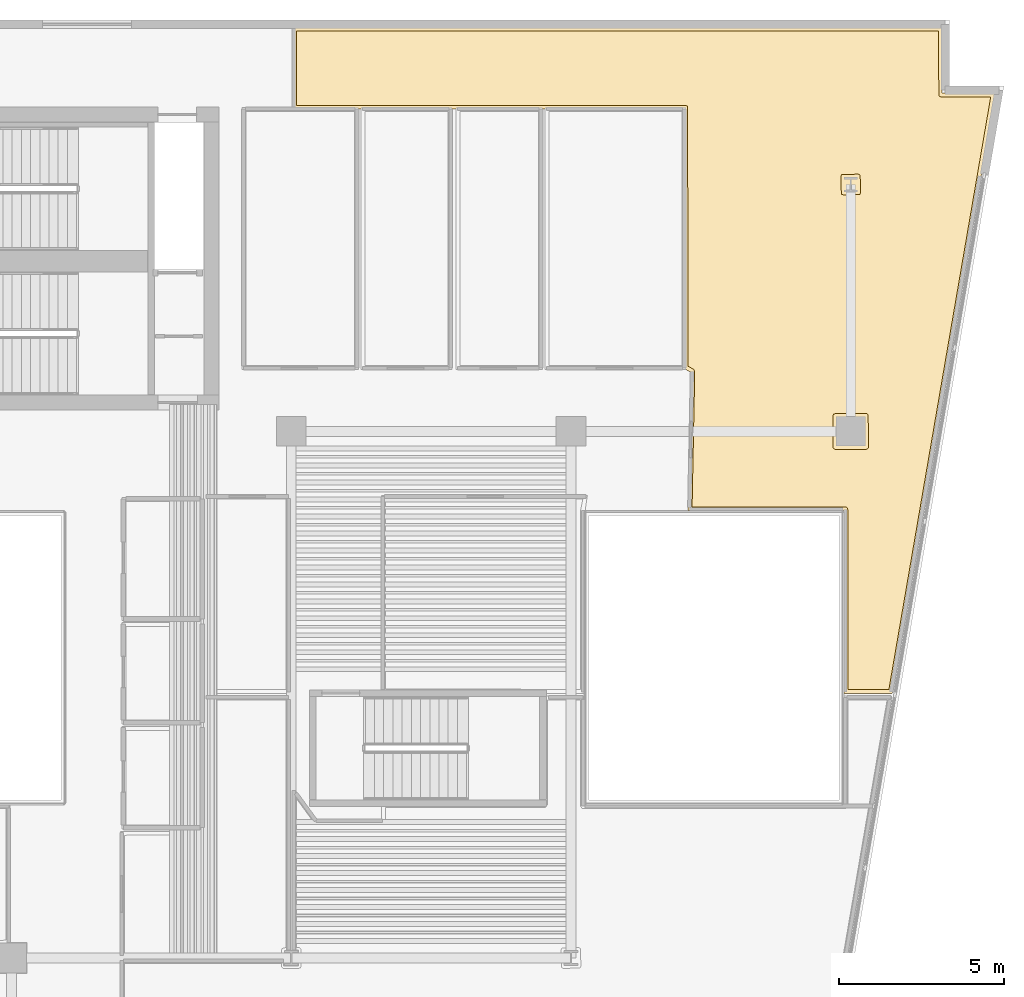
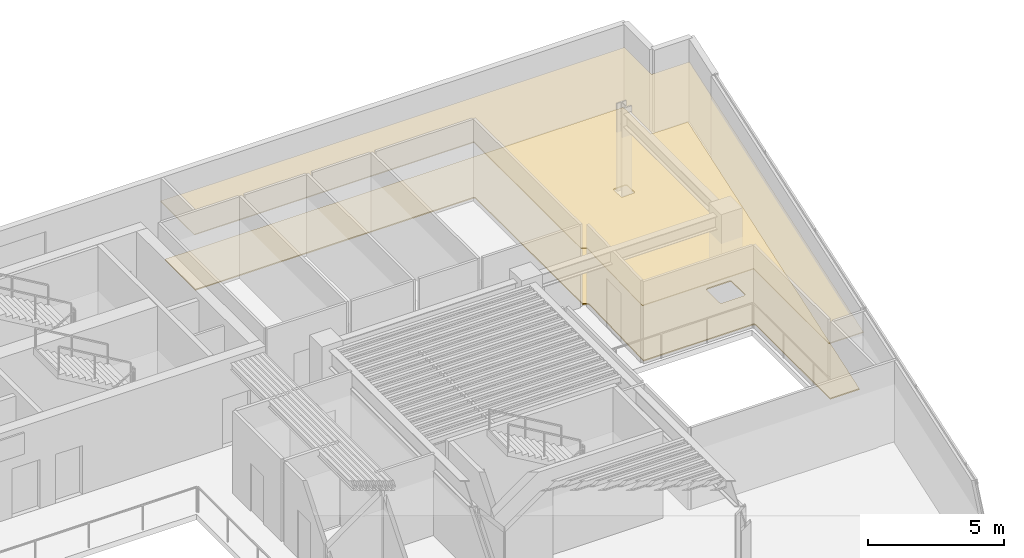
# One storey, part 10 of 10: 2 coverings.
"""IFC4 building model written with IfcOpenShell, lengths in metres."""

from ifc_helpers import new_model, si_unit, direction, frame, origin, place, context, subcontext, project, spatial, polyline, outline, extrude, material, layer, layer_set, type_object, element, save


model = new_model("IFC4")

# Units and contexts
model_context = context("Model", 3, precision=1e-05, world=origin(), true_north=direction((0.0, 1.0)))
body_context = subcontext(model_context, "Body", "Model", "MODEL_VIEW")
ifc_project = project(units=[si_unit("LENGTHUNIT", "METRE"), si_unit("AREAUNIT", "SQUARE_METRE"), si_unit("VOLUMEUNIT", "CUBIC_METRE"), si_unit("PLANEANGLEUNIT", "RADIAN"), si_unit("MASSUNIT", "GRAM", prefix="KILO")], contexts=[model_context])

# Site, building, storey
site_placement = place(None, origin())
site = spatial("IfcSite", under=ifc_project, at=site_placement, CompositionType="ELEMENT")
building_placement = place(site_placement, origin())
building = spatial("IfcBuilding", under=site, at=building_placement, Name="Caeloran Harvest Quay", CompositionType="ELEMENT")
storey_placement = place(building_placement, frame((0.0, 0.0, 187.699951171875)))
storey = spatial("IfcBuildingStorey", under=building, at=storey_placement, Name="L44", CompositionType="ELEMENT", Elevation=187.699951171875)

# Coverings
ifc_material_1 = material(Name="Perforated Mineral-Fibre Acoustic Ceiling Tile", Category="ceiling")
ifc_layer_1 = layer(ifc_material_1, 0.0400390625, Name="Perforated Mineral-Fibre Acoustic Ceiling Tile")
ifc_layer_set_1 = layer_set([ifc_layer_1], Name="Perforated Mineral-Fibre Acoustic Ceiling Tile")
covering_type_1 = type_object("IfcCoveringType", Name="COV-CEILING-ACOUSTIC", PredefinedType="CEILING", material=ifc_layer_set_1)
covering_1_placement = place(storey_placement, frame((0.0, 0.0, 2.60009765625)))
element("IfcCovering", 1, at=covering_1_placement, inside=storey, type_object=covering_type_1, Name="Records Archive Laboratory Acoustic Ceiling", PredefinedType="CEILING", context=body_context, shape_type="SweptSolid", body=[
    extrude(outline(polyline([(45.280029296875, 41.280029296875), (46.895263671875, 41.280029296875), (43.760009765625, 23.0400390625), (42.2900390625, 23.0400390625), (42.2900390625, 28.590087890625), (37.556884765625, 28.590087890625), (37.639404296875, 32.797119140625), (37.43994140625, 32.91015625), (37.43994140625, 40.7900390625), (25.5400390625, 40.7900390625), (25.5400390625, 43.280029296875), (45.280029296875, 43.280029296875), (45.280029296875, 41.280029296875)])), origin(), (0.0, 0.0, 1.0), 0.0400390625),
])
ifc_material_2 = material(Name="Calcium-Sulphate Raised Access Floor and Terrazzo Finish", Category="flooring")
ifc_layer_2 = layer(ifc_material_2, 0.050048828125, Name="Calcium-Sulphate Raised Access Floor and Terrazzo Finish")
ifc_layer_set_2 = layer_set([ifc_layer_2], Name="Calcium-Sulphate Raised Access Floor and Terrazzo Finish")
covering_type_2 = type_object("IfcCoveringType", Name="COV-FLOOR-RAISED", PredefinedType="FLOORING", material=ifc_layer_set_2)
covering_2_placement = place(storey_placement, origin())
element("IfcCovering", 2, at=covering_2_placement, inside=storey, type_object=covering_type_2, Name="Records Archive Laboratory Raised Finish Flooring", PredefinedType="FLOORING", context=body_context, shape_type="SweptSolid", body=[
    extrude(outline(polyline([(25.659912109375, 43.159912109375), (45.159912109375, 43.159912109375), (45.17822265625, 41.189208984375), (45.239990234375, 41.159912109375), (46.752685546875, 41.159912109375), (43.658935546875, 23.159912109375), (42.409912109375, 23.159912109375), (42.409912109375, 28.6298828125), (42.38671875, 28.6865234375), (42.330078125, 28.7099609375), (37.679443359375, 28.7099609375), (37.760009765625, 32.818359375), (37.732177734375, 32.880615234375), (37.56005859375, 32.97998046875), (37.541748046875, 40.880859375), (37.47998046875, 40.909912109375), (25.659912109375, 40.909912109375), (25.659912109375, 43.159912109375)]), holes=[polyline([(43.044921875, 30.534912109375), (43.02685546875, 31.515869140625), (42.972900390625, 31.544677734375), (42.034912109375, 31.544921875), (41.978515625, 31.521484375), (41.955078125, 31.465087890625), (41.955078125, 30.534912109375), (41.978515625, 30.478515625), (42.034912109375, 30.455078125), (42.965087890625, 30.455078125), (43.021484375, 30.478515625), (43.044921875, 30.534912109375)]), polyline([(42.802490234375, 38.254150390625), (42.784912109375, 38.788818359375), (42.730712890625, 38.817626953125), (42.226318359375, 38.7998046875), (42.197021484375, 38.738037109375), (42.215087890625, 38.211181640625), (42.277099609375, 38.181884765625), (42.773681640625, 38.2001953125), (42.802490234375, 38.254150390625)])]), origin(), (0.0, 0.0, 1.0), 0.050048828125),
])

save(model, "model.ifc")
